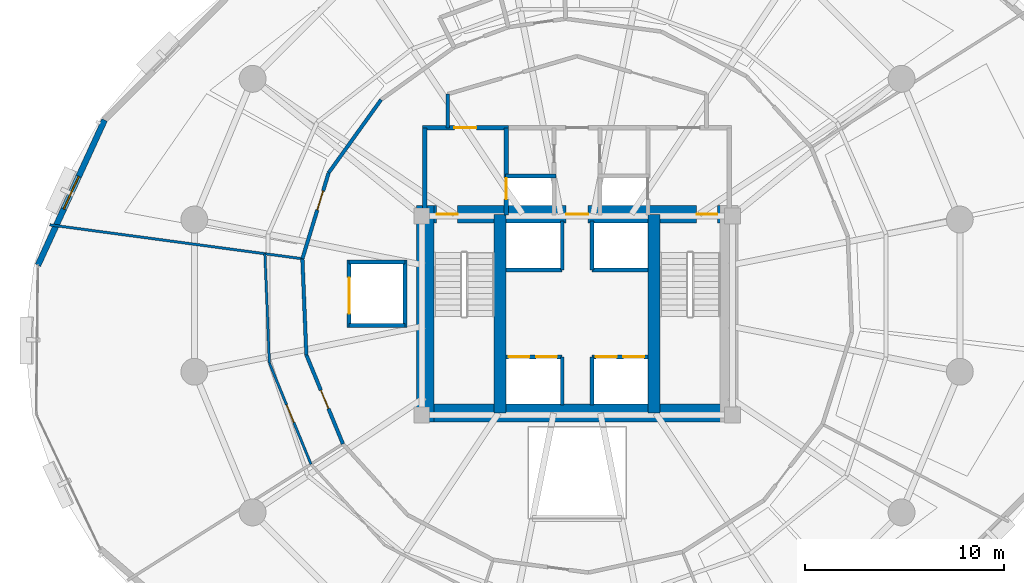
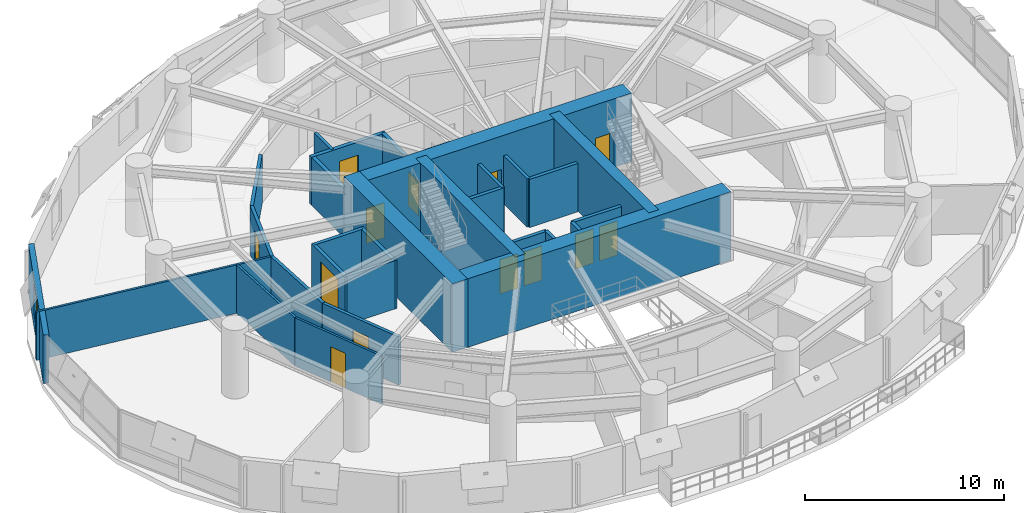
# One storey, part 12 of 17: 30 walls, 13 doors, 1 window, 14 openings.
"""IFC4 building model written with IfcOpenShell, lengths in metres."""

from ifc_helpers import new_model, si_unit, direction, frame, frame_2d, origin, place, context, subcontext, project, spatial, rectangle, extrude, material, layer, layer_set, type_object, element, fill, save


model = new_model("IFC4")

# Units and contexts
model_context = context("Model", 3, precision=1e-05, world=origin(), true_north=direction((0.0, 1.0)))
body_context = subcontext(model_context, "Body", "Model", "MODEL_VIEW")
ifc_project = project(units=[si_unit("LENGTHUNIT", "METRE"), si_unit("AREAUNIT", "SQUARE_METRE"), si_unit("VOLUMEUNIT", "CUBIC_METRE"), si_unit("PLANEANGLEUNIT", "RADIAN"), si_unit("MASSUNIT", "GRAM", prefix="KILO"), si_unit("THERMODYNAMICTEMPERATUREUNIT", "KELVIN"), si_unit("POWERUNIT", "WATT")], contexts=[model_context])

# Site, building, storey
site_placement = place(None, origin())
site = spatial("IfcSite", under=ifc_project, at=site_placement, CompositionType="ELEMENT")
building_placement = place(site_placement, origin())
building = spatial("IfcBuilding", under=site, at=building_placement, Name="Ocrelia Relay Tower", CompositionType="ELEMENT")
storey_placement = place(building_placement, frame((0.0, 0.0, 84.60009765625)))
storey = spatial("IfcBuildingStorey", under=building, at=storey_placement, Name="L19", CompositionType="ELEMENT", Elevation=84.60009765625)

# Wall
ifc_material_1 = material(Name="Concrete C70/85", Category="concrete")
ifc_layer_1 = layer(ifc_material_1, 0.89990234375, Name="Concrete C70/85")
ifc_layer_set_1 = layer_set([ifc_layer_1], Name="Concrete C70/85")
wall_type_1 = type_object("IfcWallType", Name="CW-CORE-900", PredefinedType="SHEAR", material=ifc_layer_set_1)
wall_1_placement = place(storey_placement, frame((25.922119140625, 20.112060546875, 0.0), z_axis=(0.0, 0.0, 1.0), x_axis=(1.0, 0.0, 0.0)))
element("IfcWall", 1, at=wall_1_placement, inside=storey, type_object=wall_type_1, Name="L19 Core Shear Wall S", PredefinedType="SHEAR", context=body_context, shape_type="SweptSolid", body=[
    extrude(rectangle(XDim=16.165771484375, YDim=0.89990234375, at=frame_2d((8.0830078125, 0.0))), origin(), (0.0, 0.0, 1.0), 4.199951171875),
])

# Wall, openings, doors
wall_2_placement = place(storey_placement, frame((25.922119140625, 30.087890625, 0.0), z_axis=(0.0, 0.0, 1.0), x_axis=(1.0, 0.0, 0.0)))
wall_2 = element("IfcWall", 2, at=wall_2_placement, inside=storey, type_object=wall_type_1, Name="L19 Core Shear Wall N", PredefinedType="SHEAR", context=body_context, shape_type="SweptSolid", body=[
    extrude(rectangle(XDim=16.165771484375, YDim=0.89990234375, at=frame_2d((8.0830078125, 0.0))), origin(), (0.0, 0.0, 1.0), 4.199951171875),
])
opening_1_placement = place(wall_2_placement, frame((1.028076171875, 0.0, 0.0)))
opening_1 = element("IfcOpeningElement", 3, at=opening_1_placement, cuts=wall_2, Name="Opening D-FD90", PredefinedType="OPENING", context=body_context, shape_type="SweptSolid", body=[
    extrude(rectangle(XDim=1.050048828125, YDim=2.14990234375, at=frame_2d((0.52490234375, 1.074951171875))), frame((0.0, 0.4599609375, 0.0), z_axis=(0.0, -1.0, 0.0), x_axis=(1.0, 0.0, 0.0)), (0.0, 0.0, 1.0), 0.919921875),
])
opening_2_placement = place(wall_2_placement, frame((14.077880859375, 0.0, 0.0)))
opening_2 = element("IfcOpeningElement", 4, at=opening_2_placement, cuts=wall_2, Name="Opening D-FD90", PredefinedType="OPENING", context=body_context, shape_type="SweptSolid", body=[
    extrude(rectangle(XDim=1.050048828125, YDim=2.14990234375, at=frame_2d((0.52490234375, 1.074951171875))), frame((0.0, 0.4599609375, 0.0), z_axis=(0.0, -1.0, 0.0), x_axis=(1.0, 0.0, 0.0)), (0.0, 0.0, 1.0), 0.919921875),
])
opening_3_placement = place(wall_2_placement, frame((7.528076171875, 0.0, 0.0)))
opening_3 = element("IfcOpeningElement", 5, at=opening_3_placement, cuts=wall_2, Name="Opening D-FD60", PredefinedType="OPENING", context=body_context, shape_type="SweptSolid", body=[
    extrude(rectangle(XDim=1.10009765625, YDim=2.14990234375, at=frame_2d((0.550048828125, 1.074951171875))), frame((0.0, 0.4599609375, 0.0), z_axis=(0.0, -1.0, 0.0), x_axis=(1.0, 0.0, 0.0)), (0.0, 0.0, 1.0), 0.919921875),
])
ifc_material_2 = material(Name="Timber-core 60-min acoustic fire door", Category="wood")
door_type_1 = type_object("IfcDoorType", Name="DR-LOBBY-FD60-1100", OperationType="NOTDEFINED", PredefinedType="DOOR", material=ifc_material_2)
door_1_placement = place(opening_3_placement, origin())
door_1 = element("IfcDoor", 6, at=door_1_placement, inside=storey, type_object=door_type_1, Name="L19 Core Lift Lobby North Fire Door", OperationType="SINGLE_SWING_RIGHT", OverallHeight=2.14990234375, OverallWidth=1.10009765625, PredefinedType="DOOR", context=body_context, shape_type="SweptSolid", body=[
    extrude(rectangle(XDim=1.10009765625, YDim=2.14990234375, at=frame_2d((0.550048828125, 1.074951171875))), frame((0.0, 0.02490234375, 0.0), z_axis=(0.0, -1.0, 0.0), x_axis=(1.0, 0.0, 0.0)), (0.0, 0.0, 1.0), 0.050048828125),
])
fill(opening_3, door_1)
ifc_material_3 = material(Name="Steel S355 90-min fire door", Category="steel")
door_type_2 = type_object("IfcDoorType", Name="DR-STAIR-FD90-1050", OperationType="NOTDEFINED", PredefinedType="DOOR", material=ifc_material_3)
door_2_placement = place(opening_1_placement, origin())
door_2 = element("IfcDoor", 7, at=door_2_placement, inside=storey, type_object=door_type_2, Name="L19 Stair ST1 Fire Door", OperationType="SINGLE_SWING_RIGHT", OverallHeight=2.14990234375, OverallWidth=1.050048828125, PredefinedType="DOOR", context=body_context, shape_type="SweptSolid", body=[
    extrude(rectangle(XDim=1.050048828125, YDim=2.14990234375, at=frame_2d((0.52490234375, 1.074951171875))), frame((0.0, 0.02490234375, 0.0), z_axis=(0.0, -1.0, 0.0), x_axis=(1.0, 0.0, 0.0)), (0.0, 0.0, 1.0), 0.050048828125),
])
fill(opening_1, door_2)
door_3_placement = place(opening_2_placement, origin())
door_3 = element("IfcDoor", 8, at=door_3_placement, inside=storey, type_object=door_type_2, Name="L19 Stair ST2 Fire Door", OperationType="SINGLE_SWING_LEFT", OverallHeight=2.14990234375, OverallWidth=1.050048828125, PredefinedType="DOOR", context=body_context, shape_type="SweptSolid", body=[
    extrude(rectangle(XDim=1.050048828125, YDim=2.14990234375, at=frame_2d((0.52490234375, 1.074951171875))), frame((0.0, 0.02490234375, 0.0), z_axis=(0.0, -1.0, 0.0), x_axis=(1.0, 0.0, 0.0)), (0.0, 0.0, 1.0), 0.050048828125),
])
fill(opening_2, door_3)

# Walls
wall_3_placement = place(storey_placement, frame((26.3720703125, 19.662109375, 0.0), z_axis=(0.0, 0.0, 1.0), x_axis=(0.0, 1.0, 0.0)))
element("IfcWall", 9, at=wall_3_placement, inside=storey, type_object=wall_type_1, Name="L19 Core Shear Wall W", PredefinedType="SHEAR", context=body_context, shape_type="SweptSolid", body=[
    extrude(rectangle(XDim=10.8759765625, YDim=0.89990234375, at=frame_2d((5.43798828125, 0.0))), origin(), (0.0, 0.0, 1.0), 4.199951171875),
])
for number, where, z_axis, x_axis, name in (
    (10, (30.137939453125, 20.112060546875, 0.0), (0.0, 0.0, 1.0), (0.0, 1.0, 0.0), "L19 Core Shear Wall SPW"),
    (11, (37.8720703125, 20.112060546875, 0.0), (0.0, 0.0, 1.0), (0.0, 1.0, 0.0), "L19 Core Shear Wall SPE"),
):
    element("IfcWall", number, at=place(storey_placement, frame(where, z_axis=z_axis, x_axis=x_axis)), inside=storey, type_object=wall_type_1, Name=name, PredefinedType="SHEAR", context=body_context, shape_type="SweptSolid", body=[
        extrude(rectangle(XDim=9.975830078125, YDim=0.60009765625, at=frame_2d((4.98779296875, 0.0))), origin(), (0.0, 0.0, 1.0), 4.199951171875),
    ])
ifc_material_4 = material(Name="Gypsum Fireboard Partition EI60", Category="gypsum")
ifc_layer_2 = layer(ifc_material_4, 0.179931640625, Name="Gypsum Fireboard Partition EI60")
ifc_layer_set_2 = layer_set([ifc_layer_2], Name="Gypsum Fireboard Partition EI60")
wall_type_2 = type_object("IfcWallType", Name="W-CORR-EI60-180", PredefinedType="PARTITIONING", material=ifc_layer_set_2)
wall_4_placement = place(storey_placement, frame((27.5, 34.429931640625, 0.0), z_axis=(0.0, 0.0, 1.0), x_axis=(0.0, 1.0, 0.0)))
element("IfcWall", 12, at=wall_4_placement, inside=storey, type_object=wall_type_2, Name="L19 Smoke Lobby West Return", PredefinedType="PARTITIONING", context=body_context, shape_type="SweptSolid", body=[
    extrude(rectangle(XDim=1.69287109375, YDim=0.179931640625, at=frame_2d((0.846435546875, 0.0))), origin(), (0.0, 0.0, 1.0), 2.9599609375),
])
wall_5_placement = place(storey_placement, frame((24.154296875, 35.840087890625, 0.0), z_axis=(0.0, 0.0, 1.0), x_axis=(-0.58283802727, -0.812588354561, 0.0)))
element("IfcWall", 13, at=wall_5_placement, inside=storey, type_object=wall_type_2, Name="L19 Operations Control Office Corridor Partition 2", PredefinedType="PARTITIONING", context=body_context, shape_type="SweptSolid", body=[
    extrude(rectangle(XDim=4.51513671875, YDim=0.179931640625, at=frame_2d((2.257568359375, 0.0))), origin(), (0.0, 0.0, 1.0), 2.9599609375),
])

# Wall, opening, door
wall_6_placement = place(storey_placement, frame((21.522705078125, 32.171142578125, 0.0), z_axis=(0.0, 0.0, 1.0), x_axis=(-0.292101763449, -0.956387243636, 0.0)))
wall_6 = element("IfcWall", 14, at=wall_6_placement, inside=storey, type_object=wall_type_2, Name="L19 Operations Control Office Corridor Partition 3", PredefinedType="PARTITIONING", context=body_context, shape_type="SweptSolid", body=[
    extrude(rectangle(XDim=4.51513671875, YDim=0.179931640625, at=frame_2d((2.257568359375, 0.0))), origin(), (0.0, 0.0, 1.0), 2.9599609375),
])
opening_4_placement = place(wall_6_placement, frame((0.953857421875, 0.0, 0.0)))
opening_4 = element("IfcOpeningElement", 15, at=opening_4_placement, cuts=wall_6, Name="Opening D-RM100", PredefinedType="OPENING", context=body_context, shape_type="SweptSolid", body=[
    extrude(rectangle(XDim=1.0, YDim=2.14990234375, at=frame_2d((0.5, 1.074951171875))), frame((0.0, 0.10009765625, 0.0), z_axis=(0.0, -1.0, 0.0), x_axis=(1.0, 0.0, 0.0)), (0.0, 0.0, 1.0), 0.199951171875),
])
ifc_material_5 = material(Name="Acoustic oak veneer fire door", Category="wood")
door_type_3 = type_object("IfcDoorType", Name="DR-ROOM-FD60-1000", OperationType="NOTDEFINED", PredefinedType="DOOR", material=ifc_material_5)
door_4_placement = place(opening_4_placement, origin())
door_4 = element("IfcDoor", 16, at=door_4_placement, inside=storey, type_object=door_type_3, Name="L19 Operations Control Office Entrance Door", OperationType="SINGLE_SWING_RIGHT", OverallHeight=2.14990234375, OverallWidth=1.0, PredefinedType="DOOR", context=body_context, shape_type="SweptSolid", body=[
    extrude(rectangle(XDim=1.0, YDim=2.14990234375, at=frame_2d((0.5, 1.074951171875))), frame((0.0, 0.02490234375, 0.0), z_axis=(0.0, -1.0, 0.0), x_axis=(1.0, 0.0, 0.0)), (0.0, 0.0, 1.0), 0.050048828125),
])
fill(opening_4, door_4)

# Wall
wall_7_placement = place(storey_placement, frame((20.203857421875, 27.85302734375, 0.0), z_axis=(0.0, 0.0, 1.0), x_axis=(0.041006671954, -0.99915887268, 0.0)))
element("IfcWall", 17, at=wall_7_placement, inside=storey, type_object=wall_type_2, Name="L19 Visitor Concierge Foyer Corridor Partition 1", PredefinedType="PARTITIONING", context=body_context, shape_type="SweptSolid", body=[
    extrude(rectangle(XDim=4.83447265625, YDim=0.179931640625, at=frame_2d((2.417236328125, 0.0))), origin(), (0.0, 0.0, 1.0), 2.9599609375),
])

# Wall, opening, door
wall_8_placement = place(storey_placement, frame((20.402099609375, 23.022705078125, 0.0), z_axis=(0.0, 0.0, 1.0), x_axis=(0.380272236521, -0.924874600219, 0.0)))
wall_8 = element("IfcWall", 18, at=wall_8_placement, inside=storey, type_object=wall_type_2, Name="L19 Visitor Concierge Foyer Corridor Partition 2", PredefinedType="PARTITIONING", context=body_context, shape_type="SweptSolid", body=[
    extrude(rectangle(XDim=4.83447265625, YDim=0.179931640625, at=frame_2d((2.417236328125, 0.0))), origin(), (0.0, 0.0, 1.0), 2.9599609375),
])
opening_5_placement = place(wall_8_placement, frame((1.9169921875, 0.0, 0.0)))
opening_5 = element("IfcOpeningElement", 19, at=opening_5_placement, cuts=wall_8, Name="Opening D-RM100", PredefinedType="OPENING", context=body_context, shape_type="SweptSolid", body=[
    extrude(rectangle(XDim=1.0, YDim=2.14990234375, at=frame_2d((0.5, 1.074951171875))), frame((0.0, 0.10009765625, 0.0), z_axis=(0.0, -1.0, 0.0), x_axis=(1.0, 0.0, 0.0)), (0.0, 0.0, 1.0), 0.199951171875),
])
door_5_placement = place(opening_5_placement, origin())
door_5 = element("IfcDoor", 20, at=door_5_placement, inside=storey, type_object=door_type_3, Name="L19 Visitor Concierge Foyer Entrance Door", OperationType="SINGLE_SWING_LEFT", OverallHeight=2.14990234375, OverallWidth=1.0, PredefinedType="DOOR", context=body_context, shape_type="SweptSolid", body=[
    extrude(rectangle(XDim=1.0, YDim=2.14990234375, at=frame_2d((0.5, 1.074951171875))), frame((0.0, 0.02490234375, 0.0), z_axis=(0.0, -1.0, 0.0), x_axis=(1.0, 0.0, 0.0)), (0.0, 0.0, 1.0), 0.050048828125),
])
fill(opening_5, door_5)

# Wall, opening, window
ifc_material_6 = material(Name="Precast concrete C40/50 with oxide terracotta", Category="masonry")
ifc_layer_3 = layer(ifc_material_6, 0.300048828125, Name="Precast concrete C40/50 with oxide terracotta")
ifc_layer_set_3 = layer_set([ifc_layer_3], Name="Precast concrete C40/50 with oxide terracotta")
wall_type_3 = type_object("IfcWallType", Name="W-EXT-TERR-300", PredefinedType="SOLIDWALL", material=ifc_layer_set_3)
wall_9_placement = place(storey_placement, frame((10.268310546875, 34.819580078125, 0.0), z_axis=(0.0, 0.0, 1.0), x_axis=(-0.417063391763, -0.908877399461, 0.0)))
wall_9 = element("IfcWall", 21, at=wall_9_placement, inside=storey, type_object=wall_type_3, Name="L19 Oxide Terracotta Facade Wall 08", PredefinedType="SOLIDWALL", context=body_context, shape_type="SweptSolid", body=[
    extrude(rectangle(XDim=8.021484375, YDim=0.300048828125, at=frame_2d((4.0107421875, 0.0))), origin(), (0.0, 0.0, 1.0), 2.9599609375),
])
opening_6_placement = place(wall_9_placement, frame((3.111083984375, 0.0, 0.800048828125)))
opening_6 = element("IfcOpeningElement", 22, at=opening_6_placement, cuts=wall_9, Name="Opening W-02", PredefinedType="OPENING", context=body_context, shape_type="SweptSolid", body=[
    extrude(rectangle(XDim=1.800048828125, YDim=1.949951171875, at=frame_2d((0.89990234375, 0.97509765625))), frame((0.0, 0.16015625, 0.0), z_axis=(0.0, -1.0, 0.0), x_axis=(1.0, 0.0, 0.0)), (0.0, 0.0, 1.0), 0.320068359375),
])
ifc_material_7 = material(Name="Clear double-glazed low-E glass", Category="glass")
window_type = type_object("IfcWindowType", Name="WIN-Z1-1800x2100", PartitioningType="DOUBLE_PANEL_VERTICAL", PredefinedType="WINDOW", material=ifc_material_7)
window_placement = place(opening_6_placement, origin())
window = element("IfcWindow", 23, at=window_placement, inside=storey, type_object=window_type, Name="L19 Facade Module Window 08", OverallHeight=1.949951171875, OverallWidth=1.800048828125, PartitioningType="SINGLE_PANEL", PredefinedType="WINDOW", context=body_context, shape_type="SweptSolid", body=[
    extrude(rectangle(XDim=1.800048828125, YDim=1.949951171875, at=frame_2d((0.89990234375, 0.97509765625))), frame((0.0, 0.030029296875, 0.0), z_axis=(0.0, -1.0, 0.0), x_axis=(1.0, 0.0, 0.0)), (0.0, 0.0, 1.0), 0.06005859375),
])
fill(opening_6, window)

# Wall
ifc_material_8 = material(Name="Concrete C50/60", Category="concrete")
ifc_layer_4 = layer(ifc_material_8, 0.219970703125, Name="Concrete C50/60")
ifc_layer_set_4 = layer_set([ifc_layer_4], Name="Concrete C50/60")
wall_type_4 = type_object("IfcWallType", Name="W-FFL-EI120-220", PredefinedType="SOLIDWALL", material=ifc_layer_set_4)
wall_10_placement = place(storey_placement, frame((26.35009765625, 30.050048828125, 0.0), z_axis=(0.0, 0.0, 1.0), x_axis=(0.0, 1.0, 0.0)))
element("IfcWall", 24, at=wall_10_placement, inside=storey, type_object=wall_type_4, Name="L19 W Fire Service Lift Lobby West Wall", PredefinedType="SOLIDWALL", context=body_context, shape_type="SweptSolid", body=[
    extrude(rectangle(XDim=4.3798828125, YDim=0.219970703125, at=frame_2d((2.18994140625, 0.0))), origin(), (0.0, 0.0, 1.0), 2.9599609375),
])

# Wall, opening, door
wall_11_placement = place(storey_placement, frame((30.43994140625, 30.050048828125, 0.0), z_axis=(0.0, 0.0, 1.0), x_axis=(0.0, 1.0, 0.0)))
wall_11 = element("IfcWall", 25, at=wall_11_placement, inside=storey, type_object=wall_type_4, Name="L19 W Fire Service Lift Lobby East Wall", PredefinedType="SOLIDWALL", context=body_context, shape_type="SweptSolid", body=[
    extrude(rectangle(XDim=4.3798828125, YDim=0.219970703125, at=frame_2d((2.18994140625, 0.0))), origin(), (0.0, 0.0, 1.0), 2.9599609375),
])
opening_7_placement = place(wall_11_placement, frame((0.800048828125, 0.0, 0.0)))
opening_7 = element("IfcOpeningElement", 26, at=opening_7_placement, cuts=wall_11, Name="Opening LD-FFL1", PredefinedType="OPENING", context=body_context, shape_type="SweptSolid", body=[
    extrude(rectangle(XDim=1.050048828125, YDim=2.10009765625, at=frame_2d((0.52490234375, 1.050048828125))), frame((0.0, 0.1201171875, 0.0), z_axis=(0.0, -1.0, 0.0), x_axis=(1.0, 0.0, 0.0)), (0.0, 0.0, 1.0), 0.239990234375),
])
ifc_material_9 = material(Name="Brushed stainless steel S355 lift landing door", Category="steel")
door_type_4 = type_object("IfcDoorType", Name="DR-LIFT-LAND-1050", OperationType="DOUBLE_DOOR_SLIDING", PredefinedType="USERDEFINED", material=ifc_material_9)
door_6_placement = place(opening_7_placement, origin())
door_6 = element("IfcDoor", 27, at=door_6_placement, inside=storey, type_object=door_type_4, Name="L19 Firefighting Lift FFL1 Sliding Landing Door", ObjectType="LANDING DOOR", OperationType="DOUBLE_DOOR_SLIDING", OverallHeight=2.10009765625, OverallWidth=1.050048828125, PredefinedType="USERDEFINED", context=body_context, shape_type="SweptSolid", body=[
    extrude(rectangle(XDim=1.050048828125, YDim=2.10009765625, at=frame_2d((0.52490234375, 1.050048828125))), frame((0.0, 0.02490234375, 0.0), z_axis=(0.0, -1.0, 0.0), x_axis=(1.0, 0.0, 0.0)), (0.0, 0.0, 1.0), 0.050048828125),
])
fill(opening_7, door_6)

wall_12_placement = place(storey_placement, frame((26.239990234375, 34.429931640625, 0.0), z_axis=(0.0, 0.0, 1.0), x_axis=(1.0, 0.0, 0.0)))
wall_12 = element("IfcWall", 28, at=wall_12_placement, inside=storey, type_object=wall_type_4, Name="L19 W Fire Service Lift Lobby North Wall", PredefinedType="SOLIDWALL", context=body_context, shape_type="SweptSolid", body=[
    extrude(rectangle(XDim=4.31005859375, YDim=0.219970703125, at=frame_2d((2.155029296875, 0.0))), origin(), (0.0, 0.0, 1.0), 2.9599609375),
])
opening_8_placement = place(wall_12_placement, frame((1.60009765625, 0.0, 0.0)))
opening_8 = element("IfcOpeningElement", 29, at=opening_8_placement, cuts=wall_12, Name="Opening D-FD60", PredefinedType="OPENING", context=body_context, shape_type="SweptSolid", body=[
    extrude(rectangle(XDim=1.10009765625, YDim=2.14990234375, at=frame_2d((0.550048828125, 1.074951171875))), frame((0.0, 0.1201171875, 0.0), z_axis=(0.0, -1.0, 0.0), x_axis=(1.0, 0.0, 0.0)), (0.0, 0.0, 1.0), 0.239990234375),
])
door_7_placement = place(opening_8_placement, origin())
door_7 = element("IfcDoor", 30, at=door_7_placement, inside=storey, type_object=door_type_1, Name="L19 W Fire Service Lift Lobby Exit Door", OperationType="SINGLE_SWING_LEFT", OverallHeight=2.14990234375, OverallWidth=1.10009765625, PredefinedType="DOOR", context=body_context, shape_type="SweptSolid", body=[
    extrude(rectangle(XDim=1.10009765625, YDim=2.14990234375, at=frame_2d((0.550048828125, 1.074951171875))), frame((0.0, 0.02490234375, 0.0), z_axis=(0.0, -1.0, 0.0), x_axis=(1.0, 0.0, 0.0)), (0.0, 0.0, 1.0), 0.050048828125),
])
fill(opening_8, door_7)

# Walls
ifc_material_10 = material(Name="Acoustic Fireboard Partition EI60", Category="gypsum")
ifc_layer_5 = layer(ifc_material_10, 0.125, Name="Acoustic Fireboard Partition EI60")
ifc_layer_set_5 = layer_set([ifc_layer_5], Name="Acoustic Fireboard Partition EI60")
wall_type_5 = type_object("IfcWallType", Name="W-PART-125", PredefinedType="PARTITIONING", material=ifc_layer_set_5)
wall_13_placement = place(storey_placement, frame((20.203857421875, 27.85302734375, 0.0), z_axis=(0.0, 0.0, 1.0), x_axis=(-0.991098685538, 0.133129243689, 0.0)))
element("IfcWall", 31, at=wall_13_placement, inside=storey, type_object=wall_type_5, Name="L19 Operations Control Office Radial Partition", PredefinedType="PARTITIONING", context=body_context, shape_type="SweptSolid", body=[
    extrude(rectangle(XDim=12.80224609375, YDim=0.125, at=frame_2d((6.401123046875, 0.0))), origin(), (0.0, 0.0, 1.0), 2.9599609375),
])
wall_14_placement = place(storey_placement, frame((18.32080078125, 28.10595703125, 0.0), z_axis=(0.0, 0.0, 1.0), x_axis=(0.041015046574, -0.999158528941, 0.0)))
element("IfcWall", 32, at=wall_14_placement, inside=storey, type_object=wall_type_5, Name="L19 Perimeter Visitor Concierge Foyer Mid-Ring Partition 1", PredefinedType="PARTITIONING", context=body_context, shape_type="SweptSolid", body=[
    extrude(rectangle(XDim=5.494140625, YDim=0.125, at=frame_2d((2.7470703125, 0.0))), origin(), (0.0, 0.0, 1.0), 2.9599609375),
])

# Wall, opening, door
wall_15_placement = place(storey_placement, frame((18.546142578125, 22.616455078125, 0.0), z_axis=(0.0, 0.0, 1.0), x_axis=(0.380237945348, -0.924888698665, 0.0)))
wall_15 = element("IfcWall", 33, at=wall_15_placement, inside=storey, type_object=wall_type_5, Name="L19 Perimeter Visitor Concierge Foyer Mid-Ring Partition 2", PredefinedType="PARTITIONING", context=body_context, shape_type="SweptSolid", body=[
    extrude(rectangle(XDim=5.494140625, YDim=0.125, at=frame_2d((2.7470703125, 0.0))), origin(), (0.0, 0.0, 1.0), 2.9599609375),
])
opening_9_placement = place(wall_15_placement, frame((2.272216796875, 0.0, 0.0)))
opening_9 = element("IfcOpeningElement", 34, at=opening_9_placement, cuts=wall_15, Name="Opening D-RM95", PredefinedType="OPENING", context=body_context, shape_type="SweptSolid", body=[
    extrude(rectangle(XDim=0.949951171875, YDim=2.14990234375, at=frame_2d((0.47509765625, 1.074951171875))), frame((0.0, 0.072509765625, 0.0), z_axis=(0.0, -1.0, 0.0), x_axis=(1.0, 0.0, 0.0)), (0.0, 0.0, 1.0), 0.14501953125),
])
door_type_5 = type_object("IfcDoorType", Name="DR-ROOM-950", OperationType="NOTDEFINED", PredefinedType="DOOR", material=ifc_material_5)
door_8_placement = place(opening_9_placement, origin())
door_8 = element("IfcDoor", 35, at=door_8_placement, inside=storey, type_object=door_type_5, Name="L19 Perimeter Visitor Concierge Foyer Connecting Door", OperationType="SINGLE_SWING_RIGHT", OverallHeight=2.14990234375, OverallWidth=0.949951171875, PredefinedType="DOOR", context=body_context, shape_type="SweptSolid", body=[
    extrude(rectangle(XDim=0.949951171875, YDim=2.14990234375, at=frame_2d((0.47509765625, 1.074951171875))), frame((0.0, 0.02490234375, 0.0), z_axis=(0.0, -1.0, 0.0), x_axis=(1.0, 0.0, 0.0)), (0.0, 0.0, 1.0), 0.050048828125),
])
fill(opening_9, door_8)

# Wall
ifc_layer_6 = layer(ifc_material_8, 0.199951171875, Name="Concrete C50/60")
ifc_layer_set_6 = layer_set([ifc_layer_6], Name="Concrete C50/60")
wall_type_6 = type_object("IfcWallType", Name="W-SHAFT-EI120-200", PredefinedType="SOLIDWALL", material=ifc_layer_set_6)
wall_16_placement = place(storey_placement, frame((30.39990234375, 32.0, 0.0), z_axis=(0.0, 0.0, 1.0), x_axis=(1.0, 0.0, 0.0)))
element("IfcWall", 36, at=wall_16_placement, inside=storey, type_object=wall_type_6, Name="L19 FFL1 Hoistway North Wall", PredefinedType="SOLIDWALL", context=body_context, shape_type="SweptSolid", body=[
    extrude(rectangle(XDim=2.550048828125, YDim=0.199951171875, at=frame_2d((1.27490234375, 0.0))), origin(), (0.0, 0.0, 1.0), 2.9599609375),
])

# Wall, openings, doors
wall_17_placement = place(storey_placement, frame((30.43994140625, 22.919921875, 0.0), z_axis=(0.0, 0.0, 1.0), x_axis=(1.0, 0.0, 0.0)))
wall_17 = element("IfcWall", 37, at=wall_17_placement, inside=storey, type_object=wall_type_6, Name="L19 Low-Rise Lift Hoistway Wall W", PredefinedType="SOLIDWALL", context=body_context, shape_type="SweptSolid", body=[
    extrude(rectangle(XDim=2.81005859375, YDim=0.199951171875, at=frame_2d((1.405029296875, 0.0))), origin(), (0.0, 0.0, 1.0), 2.9599609375),
])
opening_10_placement = place(wall_17_placement, frame((0.1201171875, 0.0, 0.0)))
opening_10 = element("IfcOpeningElement", 38, at=opening_10_placement, cuts=wall_17, Name="Opening LD-PL1", PredefinedType="OPENING", context=body_context, shape_type="SweptSolid", body=[
    extrude(rectangle(XDim=1.050048828125, YDim=2.10009765625, at=frame_2d((0.52490234375, 1.050048828125))), frame((0.0, 0.10986328125, 0.0), z_axis=(0.0, -1.0, 0.0), x_axis=(1.0, 0.0, 0.0)), (0.0, 0.0, 1.0), 0.219970703125),
])
opening_11_placement = place(wall_17_placement, frame((1.5, 0.0, 0.0)))
opening_11 = element("IfcOpeningElement", 39, at=opening_11_placement, cuts=wall_17, Name="Opening LD-PL2", PredefinedType="OPENING", context=body_context, shape_type="SweptSolid", body=[
    extrude(rectangle(XDim=1.050048828125, YDim=2.10009765625, at=frame_2d((0.52490234375, 1.050048828125))), frame((0.0, 0.10986328125, 0.0), z_axis=(0.0, -1.0, 0.0), x_axis=(1.0, 0.0, 0.0)), (0.0, 0.0, 1.0), 0.219970703125),
])
door_9_placement = place(opening_10_placement, origin())
door_9 = element("IfcDoor", 40, at=door_9_placement, inside=storey, type_object=door_type_4, Name="L19 Passenger Lift PL1 Sliding Landing Door", ObjectType="LANDING DOOR", OperationType="DOUBLE_DOOR_SLIDING", OverallHeight=2.10009765625, OverallWidth=1.050048828125, PredefinedType="USERDEFINED", context=body_context, shape_type="SweptSolid", body=[
    extrude(rectangle(XDim=1.050048828125, YDim=2.10009765625, at=frame_2d((0.52490234375, 1.050048828125))), frame((0.0, 0.02490234375, 0.0), z_axis=(0.0, -1.0, 0.0), x_axis=(1.0, 0.0, 0.0)), (0.0, 0.0, 1.0), 0.050048828125),
])
fill(opening_10, door_9)
door_10_placement = place(opening_11_placement, origin())
door_10 = element("IfcDoor", 41, at=door_10_placement, inside=storey, type_object=door_type_4, Name="L19 Passenger Lift PL2 Sliding Landing Door", ObjectType="LANDING DOOR", OperationType="DOUBLE_DOOR_SLIDING", OverallHeight=2.10009765625, OverallWidth=1.050048828125, PredefinedType="USERDEFINED", context=body_context, shape_type="SweptSolid", body=[
    extrude(rectangle(XDim=1.050048828125, YDim=2.10009765625, at=frame_2d((0.52490234375, 1.050048828125))), frame((0.0, 0.02490234375, 0.0), z_axis=(0.0, -1.0, 0.0), x_axis=(1.0, 0.0, 0.0)), (0.0, 0.0, 1.0), 0.050048828125),
])
fill(opening_11, door_10)

# Wall
wall_18_placement = place(storey_placement, frame((33.25, 20.5, 0.0), z_axis=(0.0, 0.0, 1.0), x_axis=(0.0, 1.0, 0.0)))
element("IfcWall", 42, at=wall_18_placement, inside=storey, type_object=wall_type_6, Name="L19 Low-Rise Lift Throat Wall W", PredefinedType="SOLIDWALL", context=body_context, shape_type="SweptSolid", body=[
    extrude(rectangle(XDim=2.419921875, YDim=0.179931640625, at=frame_2d((1.2099609375, 0.0))), origin(), (0.0, 0.0, 1.0), 2.9599609375),
])

# Wall, openings, doors
wall_19_placement = place(storey_placement, frame((34.75, 22.919921875, 0.0), z_axis=(0.0, 0.0, 1.0), x_axis=(1.0, 0.0, 0.0)))
wall_19 = element("IfcWall", 43, at=wall_19_placement, inside=storey, type_object=wall_type_6, Name="L19 Low-Rise Lift Hoistway Wall E", PredefinedType="SOLIDWALL", context=body_context, shape_type="SweptSolid", body=[
    extrude(rectangle(XDim=2.81005859375, YDim=0.199951171875, at=frame_2d((1.405029296875, 0.0))), origin(), (0.0, 0.0, 1.0), 2.9599609375),
])
opening_12_placement = place(wall_19_placement, frame((0.18994140625, 0.0, 0.0)))
opening_12 = element("IfcOpeningElement", 44, at=opening_12_placement, cuts=wall_19, Name="Opening LD-PL3", PredefinedType="OPENING", context=body_context, shape_type="SweptSolid", body=[
    extrude(rectangle(XDim=1.050048828125, YDim=2.10009765625, at=frame_2d((0.52490234375, 1.050048828125))), frame((0.0, 0.10986328125, 0.0), z_axis=(0.0, -1.0, 0.0), x_axis=(1.0, 0.0, 0.0)), (0.0, 0.0, 1.0), 0.219970703125),
])
opening_13_placement = place(wall_19_placement, frame((1.570068359375, 0.0, 0.0)))
opening_13 = element("IfcOpeningElement", 45, at=opening_13_placement, cuts=wall_19, Name="Opening LD-PL4", PredefinedType="OPENING", context=body_context, shape_type="SweptSolid", body=[
    extrude(rectangle(XDim=1.050048828125, YDim=2.10009765625, at=frame_2d((0.52490234375, 1.050048828125))), frame((0.0, 0.10986328125, 0.0), z_axis=(0.0, -1.0, 0.0), x_axis=(1.0, 0.0, 0.0)), (0.0, 0.0, 1.0), 0.219970703125),
])
door_11_placement = place(opening_12_placement, origin())
door_11 = element("IfcDoor", 46, at=door_11_placement, inside=storey, type_object=door_type_4, Name="L19 Passenger Lift PL3 Sliding Landing Door", ObjectType="LANDING DOOR", OperationType="DOUBLE_DOOR_SLIDING", OverallHeight=2.10009765625, OverallWidth=1.050048828125, PredefinedType="USERDEFINED", context=body_context, shape_type="SweptSolid", body=[
    extrude(rectangle(XDim=1.050048828125, YDim=2.10009765625, at=frame_2d((0.52490234375, 1.050048828125))), frame((0.0, 0.02490234375, 0.0), z_axis=(0.0, -1.0, 0.0), x_axis=(1.0, 0.0, 0.0)), (0.0, 0.0, 1.0), 0.050048828125),
])
fill(opening_12, door_11)
door_12_placement = place(opening_13_placement, origin())
door_12 = element("IfcDoor", 47, at=door_12_placement, inside=storey, type_object=door_type_4, Name="L19 Passenger Lift PL4 Sliding Landing Door", ObjectType="LANDING DOOR", OperationType="DOUBLE_DOOR_SLIDING", OverallHeight=2.10009765625, OverallWidth=1.050048828125, PredefinedType="USERDEFINED", context=body_context, shape_type="SweptSolid", body=[
    extrude(rectangle(XDim=1.050048828125, YDim=2.10009765625, at=frame_2d((0.52490234375, 1.050048828125))), frame((0.0, 0.02490234375, 0.0), z_axis=(0.0, -1.0, 0.0), x_axis=(1.0, 0.0, 0.0)), (0.0, 0.0, 1.0), 0.050048828125),
])
fill(opening_13, door_12)

# Walls
wall_20_placement = place(storey_placement, frame((34.75, 20.5, 0.0), z_axis=(0.0, 0.0, 1.0), x_axis=(0.0, 1.0, 0.0)))
element("IfcWall", 48, at=wall_20_placement, inside=storey, type_object=wall_type_6, Name="L19 Low-Rise Lift Throat Wall E", PredefinedType="SOLIDWALL", context=body_context, shape_type="SweptSolid", body=[
    extrude(rectangle(XDim=2.419921875, YDim=0.179931640625, at=frame_2d((1.2099609375, 0.0))), origin(), (0.0, 0.0, 1.0), 2.9599609375),
])
wall_21_placement = place(storey_placement, frame((30.43994140625, 27.280029296875, 0.0), z_axis=(0.0, 0.0, 1.0), x_axis=(1.0, 0.0, 0.0)))
element("IfcWall", 49, at=wall_21_placement, inside=storey, type_object=wall_type_6, Name="L19 High-Rise Lift Hoistway Wall W", PredefinedType="SOLIDWALL", context=body_context, shape_type="SweptSolid", body=[
    extrude(rectangle(XDim=2.81005859375, YDim=0.199951171875, at=frame_2d((1.405029296875, 0.0))), origin(), (0.0, 0.0, 1.0), 2.9599609375),
])
wall_22_placement = place(storey_placement, frame((33.25, 27.280029296875, 0.0), z_axis=(0.0, 0.0, 1.0), x_axis=(0.0, 1.0, 0.0)))
element("IfcWall", 50, at=wall_22_placement, inside=storey, type_object=wall_type_6, Name="L19 High-Rise Lift Throat Wall W", PredefinedType="SOLIDWALL", context=body_context, shape_type="SweptSolid", body=[
    extrude(rectangle(XDim=2.469970703125, YDim=0.179931640625, at=frame_2d((1.23486328125, 0.0))), origin(), (0.0, 0.0, 1.0), 2.9599609375),
])
wall_23_placement = place(storey_placement, frame((34.75, 27.280029296875, 0.0), z_axis=(0.0, 0.0, 1.0), x_axis=(1.0, 0.0, 0.0)))
element("IfcWall", 51, at=wall_23_placement, inside=storey, type_object=wall_type_6, Name="L19 High-Rise Lift Hoistway Wall E", PredefinedType="SOLIDWALL", context=body_context, shape_type="SweptSolid", body=[
    extrude(rectangle(XDim=2.81005859375, YDim=0.199951171875, at=frame_2d((1.405029296875, 0.0))), origin(), (0.0, 0.0, 1.0), 2.9599609375),
])
wall_24_placement = place(storey_placement, frame((34.75, 27.280029296875, 0.0), z_axis=(0.0, 0.0, 1.0), x_axis=(0.0, 1.0, 0.0)))
element("IfcWall", 52, at=wall_24_placement, inside=storey, type_object=wall_type_6, Name="L19 High-Rise Lift Throat Wall E", PredefinedType="SOLIDWALL", context=body_context, shape_type="SweptSolid", body=[
    extrude(rectangle(XDim=2.469970703125, YDim=0.179931640625, at=frame_2d((1.23486328125, 0.0))), origin(), (0.0, 0.0, 1.0), 2.9599609375),
])

# Wall, opening, door
wall_25_placement = place(storey_placement, frame((22.550048828125, 24.39990234375, 0.0), z_axis=(0.0, 0.0, 1.0), x_axis=(0.0, 1.0, 0.0)))
wall_25 = element("IfcWall", 53, at=wall_25_placement, inside=storey, type_object=wall_type_6, Name="L19 Goods Lift Shaft West Wall", PredefinedType="SOLIDWALL", context=body_context, shape_type="SweptSolid", body=[
    extrude(rectangle(XDim=3.400146484375, YDim=0.199951171875, at=frame_2d((1.7001953125, 0.0))), origin(), (0.0, 0.0, 1.0), 2.9599609375),
])
opening_14_placement = place(wall_25_placement, frame((0.699951171875, 0.0, 0.0)))
opening_14 = element("IfcOpeningElement", 54, at=opening_14_placement, cuts=wall_25, Name="Opening LD-GL1", PredefinedType="OPENING", context=body_context, shape_type="SweptSolid", body=[
    extrude(rectangle(XDim=1.800048828125, YDim=2.39990234375, at=frame_2d((0.89990234375, 1.199951171875))), frame((0.0, 0.10986328125, 0.0), z_axis=(0.0, -1.0, 0.0), x_axis=(1.0, 0.0, 0.0)), (0.0, 0.0, 1.0), 0.219970703125),
])
ifc_material_11 = material(Name="Heavy-duty stainless steel S355 goods landing door", Category="steel")
door_type_6 = type_object("IfcDoorType", Name="DR-GOODS-LAND-1800", OperationType="DOUBLE_DOOR_SLIDING", PredefinedType="USERDEFINED", material=ifc_material_11)
door_13_placement = place(opening_14_placement, origin())
door_13 = element("IfcDoor", 55, at=door_13_placement, inside=storey, type_object=door_type_6, Name="L19 Goods Lift GL1 Sliding Landing Door", ObjectType="LANDING DOOR", OperationType="DOUBLE_DOOR_SLIDING", OverallHeight=2.39990234375, OverallWidth=1.800048828125, PredefinedType="USERDEFINED", context=body_context, shape_type="SweptSolid", body=[
    extrude(rectangle(XDim=1.800048828125, YDim=2.39990234375, at=frame_2d((0.89990234375, 1.199951171875))), frame((0.0, 0.02490234375, 0.0), z_axis=(0.0, -1.0, 0.0), x_axis=(1.0, 0.0, 0.0)), (0.0, 0.0, 1.0), 0.050048828125),
])
fill(opening_14, door_13)

# Walls
wall_26_placement = place(storey_placement, frame((25.35009765625, 24.39990234375, 0.0), z_axis=(0.0, 0.0, 1.0), x_axis=(0.0, 1.0, 0.0)))
element("IfcWall", 56, at=wall_26_placement, inside=storey, type_object=wall_type_6, Name="L19 Goods Lift Shaft E Wall", PredefinedType="SOLIDWALL", context=body_context, shape_type="SweptSolid", body=[
    extrude(rectangle(XDim=3.400146484375, YDim=0.199951171875, at=frame_2d((1.7001953125, 0.0))), origin(), (0.0, 0.0, 1.0), 2.9599609375),
])
for number, where, z_axis, x_axis, name in (
    (57, (22.550048828125, 24.5, 0.0), (0.0, 0.0, 1.0), (1.0, 0.0, 0.0), "L19 Goods Lift Shaft S Wall"),
    (58, (22.550048828125, 27.699951171875, 0.0), (0.0, 0.0, 1.0), (1.0, 0.0, 0.0), "L19 Goods Lift Shaft N Wall"),
):
    element("IfcWall", number, at=place(storey_placement, frame(where, z_axis=z_axis, x_axis=x_axis)), inside=storey, type_object=wall_type_6, Name=name, PredefinedType="SOLIDWALL", context=body_context, shape_type="SweptSolid", body=[
        extrude(rectangle(XDim=2.800048828125, YDim=0.199951171875, at=frame_2d((1.39990234375, 0.0))), origin(), (0.0, 0.0, 1.0), 2.9599609375),
    ])

save(model, "model.ifc")
